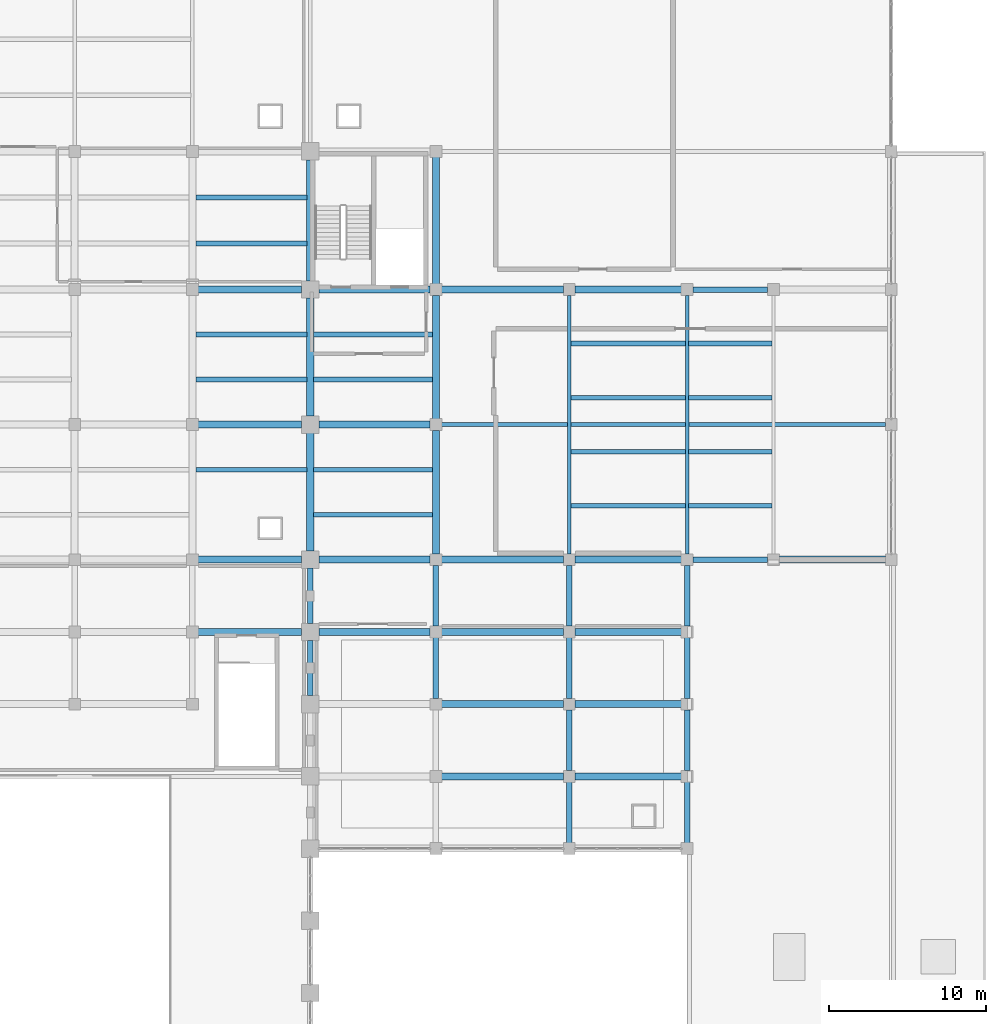
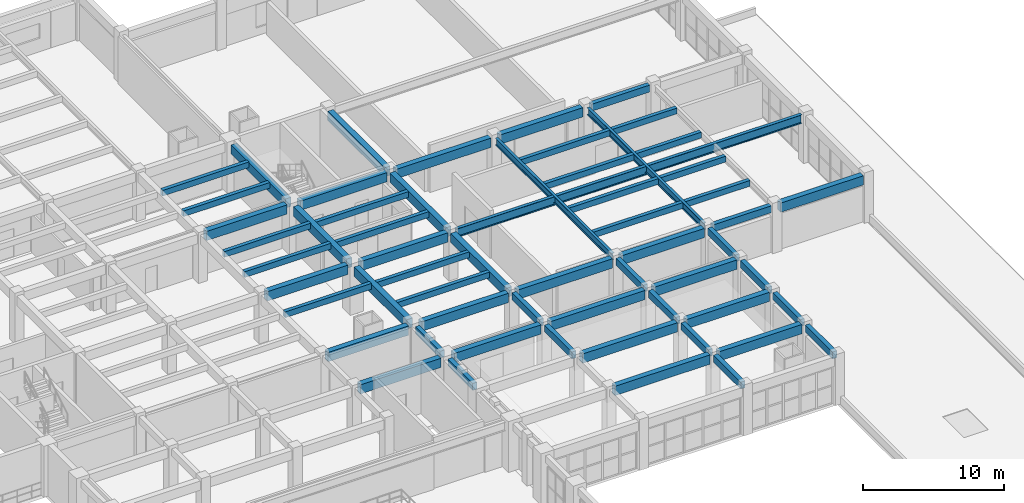
# One storey, part 45 of 90: 59 beams.
"""IFC4 building model written with IfcOpenShell, lengths in metres."""

import ifcopenshell
import ifcopenshell.guid

model = None  # the IFC model being written
_history = None  # IfcOwnerHistory: only IFC2X3 demands one
_inside = {}  # id of a spatial element -> (the spatial element, [elements in it])
_under = {}  # id of a project, library or spatial element -> (it, [spatial elements below it])
_declared = {}  # id of a project -> (the project, [libraries it declares])
_typed = {}  # id of a type object -> (the type object, [elements of that type])
_made_of = {}  # id of a material, layer set ... -> (it, [elements and type objects made of it])


def new_model(schema):
    """Start an empty IFC model of exactly this schema.

    Asked for "IFC4X3", IfcOpenShell would pick the latest addendum, in which some entities
    have other attributes; the version numbers below select the first issue.
    IFC2X3 requires an IfcOwnerHistory on every rooted entity: one is made here for all.
    """
    global model, _history
    if schema == "IFC4X3":
        model = ifcopenshell.file(schema_version=(4, 3, 0, 0))
    else:
        model = ifcopenshell.file(schema=schema)
    _inside.clear()
    _under.clear()
    _declared.clear()
    _typed.clear()
    _made_of.clear()
    _history = None
    if model.schema == "IFC2X3":
        org = make("IfcOrganization", Name="unknown")
        user = make(
            "IfcPersonAndOrganization",
            ThePerson=make("IfcPerson", FamilyName="unknown"),
            TheOrganization=org,
        )
        app = make(
            "IfcApplication",
            ApplicationDeveloper=org,
            Version="unknown",
            ApplicationFullName="unknown",
            ApplicationIdentifier="unknown",
        )
        _history = make(
            "IfcOwnerHistory",
            OwningUser=user,
            OwningApplication=app,
            ChangeAction="ADDED",
            CreationDate=0,
        )
    return model


def make(cls, **values):
    """One entity of the class cls with the attributes given. An attribute that is None is left unset."""
    return model.create_entity(
        cls, **{name: value for name, value in values.items() if value is not None}
    )


def rooted(cls, **values):
    """An entity with a GlobalId (a new one), such as an element, a storey or a relation."""
    return make(cls, GlobalId=ifcopenshell.guid.new(), OwnerHistory=_history, **values)


def si_unit(unit_type, name, prefix=None):
    """IfcSIUnit, for example si_unit("LENGTHUNIT", "METRE", prefix="MILLI")."""
    return make("IfcSIUnit", UnitType=unit_type, Prefix=prefix, Name=name)


def assignment(units):
    """IfcUnitAssignment: the units of a project."""
    return None if units is None else make("IfcUnitAssignment", Units=units)


def point(xyz):
    """IfcCartesianPoint."""
    return None if xyz is None else make("IfcCartesianPoint", Coordinates=xyz)


def direction(xyz):
    """IfcDirection."""
    return None if xyz is None else make("IfcDirection", DirectionRatios=xyz)


def frame(location, z_axis=None, x_axis=None):
    """IfcAxis2Placement3D, a coordinate frame: its origin and axes. An axis left out is left unset."""
    return make(
        "IfcAxis2Placement3D",
        Location=point(location),
        Axis=direction(z_axis),
        RefDirection=direction(x_axis),
    )


def frame_2d(location, x_axis=None):
    """IfcAxis2Placement2D, a coordinate frame in the plane: its origin and x axis."""
    return make(
        "IfcAxis2Placement2D", Location=point(location), RefDirection=direction(x_axis)
    )


def origin():
    """The frame at (0, 0, 0) with its axes left unset."""
    return frame((0.0, 0.0, 0.0))


def origin_2d():
    """The frame at (0, 0) in the plane with its x axis left unset."""
    return frame_2d((0.0, 0.0))


def place(relative_to, where):
    """IfcLocalPlacement: puts the frame where relative to a parent placement (None: the world)."""
    return make(
        "IfcLocalPlacement", PlacementRelTo=relative_to, RelativePlacement=where
    )


def context(
    kind, dimensions, precision=None, world=None, true_north=None, identifier=None
):
    """IfcGeometricRepresentationContext, for example the 3D "Model" context."""
    return make(
        "IfcGeometricRepresentationContext",
        ContextIdentifier=identifier,
        ContextType=kind,
        CoordinateSpaceDimension=dimensions,
        Precision=precision,
        WorldCoordinateSystem=world,
        TrueNorth=true_north,
    )


def subcontext(parent, identifier, kind, view, scale=None):
    """IfcGeometricRepresentationSubContext, for example "Body" below "Model"."""
    return make(
        "IfcGeometricRepresentationSubContext",
        ContextIdentifier=identifier,
        ContextType=kind,
        ParentContext=parent,
        TargetScale=scale,
        TargetView=view,
    )


def project(units=None, contexts=None):
    """IfcProject with its units and contexts."""
    return rooted(
        "IfcProject",
        Name="project",
        RepresentationContexts=contexts,
        UnitsInContext=assignment(units),
    )


def spatial(cls, under=None, at=None, **own):
    """A site, building, storey or space (cls), placed at a placement, below another one or the project."""
    s = rooted(cls, ObjectPlacement=at, **own)
    if under is not None:
        _under.setdefault(under.id(), (under, []))[1].append(s)
    return s


def profile(cls, at=None, kind="AREA", **sizes):
    """A parametric profile (cls). Its sizes go by their IFC names, for example OverallWidth=200.0."""
    return make(cls, ProfileType=kind, Position=at, **sizes)


def rectangle(**sizes):
    """IfcRectangleProfileDef."""
    return profile("IfcRectangleProfileDef", **sizes)


def i_section(**sizes):
    """IfcIShapeProfileDef."""
    return profile("IfcIShapeProfileDef", **sizes)


def extrude(swept, where, along, depth):
    """IfcExtrudedAreaSolid: the profile swept, set in the frame where, extruded along a direction by depth."""
    return make(
        "IfcExtrudedAreaSolid",
        SweptArea=swept,
        Position=where,
        ExtrudedDirection=direction(along),
        Depth=depth,
    )


def shape(context_of_items, identifier, shape_type, items):
    """IfcShapeRepresentation: the items that make up one representation, for example the "Body"."""
    return make(
        "IfcShapeRepresentation",
        ContextOfItems=context_of_items,
        RepresentationIdentifier=identifier,
        RepresentationType=shape_type,
        Items=items,
    )


def material(Name=None, Category=None):
    """IfcMaterial."""
    return make("IfcMaterial", Name=Name, Category=Category)


def material_profile(
    of_material, cross_section, Name=None, Category=None, Priority=None
):
    """IfcMaterialProfile: a cross section and its material."""
    return make(
        "IfcMaterialProfile",
        Name=Name,
        Material=of_material,
        Profile=cross_section,
        Priority=Priority,
        Category=Category,
    )


def profile_set(profiles, Name=None, composite=None):
    """IfcMaterialProfileSet."""
    return make(
        "IfcMaterialProfileSet",
        Name=Name,
        MaterialProfiles=profiles,
        CompositeProfile=composite,
    )


def made_of(thing, what):
    """Note that an element or type object is made of a material, layer set ...; save() writes the relation."""
    if what is not None:
        _made_of.setdefault(what.id(), (what, []))[1].append(thing)
    return thing


def type_object(cls, material=None, **own):
    """A type object (cls), such as IfcWallType, which elements share."""
    return made_of(rooted(cls, **own), material)


def element(
    cls,
    number,
    at=None,
    inside=None,
    cuts=None,
    type_object=None,
    material=None,
    context=None,
    identifier="Body",
    shape_type=None,
    held_by="IfcProductDefinitionShape",
    body=None,
    shapes=None,
    **own,
):
    """One element of the class cls, such as IfcWall. Its Tag is "e" and its number.

    at: its placement. inside: the storey or other place that contains it. cuts: it is an
    opening in that element (IfcRelVoidsElement). A single representation is given by context,
    identifier, shape_type and body (its items); several are given by shapes. held_by: the class
    of the entity that holds the representations. save() writes the other relations.
    """
    e = rooted(cls, Tag="e%d" % number, ObjectPlacement=at, **own)
    if body is not None:
        shapes = [shape(context, identifier, shape_type, body)]
    if shapes is not None:
        e.Representation = make(held_by, Representations=shapes)
    if inside is not None:
        _inside.setdefault(inside.id(), (inside, []))[1].append(e)
    if cuts is not None:
        rooted(
            "IfcRelVoidsElement", RelatingBuildingElement=cuts, RelatedOpeningElement=e
        )
    if type_object is not None:
        _typed.setdefault(type_object.id(), (type_object, []))[1].append(e)
    return made_of(e, material)


def aggregate(whole, parts):
    """IfcRelAggregates: a whole, such as a stair, and the parts it consists of."""
    return rooted("IfcRelAggregates", RelatingObject=whole, RelatedObjects=parts)


def save(model, path):
    """Write the relations noted so far, then the file.

    IfcRelAggregates (storeys below a building ...), IfcRelContainedInSpatialStructure (elements
    in a storey), IfcRelDefinesByType, IfcRelAssociatesMaterial and IfcRelDeclares: one each for
    every whole, place, type object, material and project.
    """
    for whole, parts in _under.values():
        aggregate(whole, parts)
    for where, things in _inside.values():
        rooted(
            "IfcRelContainedInSpatialStructure",
            RelatedElements=things,
            RelatingStructure=where,
        )
    for kind, things in _typed.values():
        rooted("IfcRelDefinesByType", RelatedObjects=things, RelatingType=kind)
    for what, things in _made_of.values():
        rooted("IfcRelAssociatesMaterial", RelatedObjects=things, RelatingMaterial=what)
    for by, libraries in _declared.values():
        rooted("IfcRelDeclares", RelatingContext=by, RelatedDefinitions=libraries)
    model.write(path)


model = new_model("IFC4")

# Units and contexts
model_context = context("Model", 3, precision=1e-05, world=origin(), true_north=direction((0.0, 1.0)))
body_context = subcontext(model_context, "Body", "Model", "MODEL_VIEW")
ifc_project = project(units=[si_unit("LENGTHUNIT", "METRE"), si_unit("AREAUNIT", "SQUARE_METRE"), si_unit("VOLUMEUNIT", "CUBIC_METRE"), si_unit("PLANEANGLEUNIT", "RADIAN"), si_unit("MASSUNIT", "GRAM", prefix="KILO")], contexts=[model_context])

# Site, building, storey
site_placement = place(None, origin())
site = spatial("IfcSite", under=ifc_project, at=site_placement, CompositionType="ELEMENT")
building_placement = place(site_placement, origin())
building = spatial("IfcBuilding", under=site, at=building_placement, Name="Muzn Square Opera House", CompositionType="ELEMENT")
storey_placement = place(building_placement, frame((0.0, 0.0, 9.800048828125)))
storey = spatial("IfcBuildingStorey", under=building, at=storey_placement, Name="L02", CompositionType="ELEMENT", Elevation=9.800048828125)

# Beams
ifc_material_1 = material(Name="Concrete C40/50", Category="concrete")
ifc_material_profile_1 = material_profile(ifc_material_1, rectangle(XDim=0.300048828125, YDim=0.5, at=origin_2d()), Name="RCJ 300x500", Category="concrete")
ifc_profile_set_1 = profile_set([ifc_material_profile_1], Name="Concrete C40/50")
beam_type_1 = type_object("IfcBeamType", Name="Floor Joist 300x500", PredefinedType="JOIST", material=ifc_profile_set_1)
for number, where, z_axis, x_axis, name in (
    (1, (125.717041015625, 78.333251953125, 3.89990234375), (1.0, 0.0, 0.0), (0.0, 1.0, 0.0), "Floor Joist BM-L02-BM-J500-1257_783_1328_783-2388"),
    (2, (125.717041015625, 84.066650390625, 3.89990234375), (1.0, 0.0, 0.0), (0.0, 1.0, 0.0), "Floor Joist BM-L02-BM-J500-1257_841_1328_841-2389"),
    (3, (125.717041015625, 86.933349609375, 3.89990234375), (1.0, 0.0, 0.0), (0.0, 1.0, 0.0), "Floor Joist BM-L02-BM-J500-1257_869_1328_869-2390"),
    (4, (125.717041015625, 92.7333984375, 3.89990234375), (1.0, 0.0, 0.0), (0.0, 1.0, 0.0), "Floor Joist BM-L02-BM-J500-1257_927_1328_927-2391"),
    (5, (125.717041015625, 95.666748046875, 3.89990234375), (1.0, 0.0, 0.0), (0.0, 1.0, 0.0), "Floor Joist BM-L02-BM-J500-1257_957_1328_957-2392"),
):
    element("IfcBeam", number, at=place(storey_placement, frame(where, z_axis=z_axis, x_axis=x_axis)), inside=storey, type_object=beam_type_1, Name=name, PredefinedType="JOIST", context=body_context, shape_type="SweptSolid", body=[
        extrude(rectangle(XDim=0.300048828125, YDim=0.5, at=origin_2d()), origin(), (0.0, 0.0, 1.0), 7.06591796875),
    ])
for number, where, z_axis, x_axis, name in (
    (6, (133.217041015625, 75.466796875, 3.829833984375), (1.0, 0.0, 0.0), (0.0, 1.0, 0.0), "Floor Joist BM-L02-BM-J500-1332_755_1408_755-2393"),
    (7, (133.217041015625, 78.333251953125, 3.829833984375), (1.0, 0.0, 0.0), (0.0, 1.0, 0.0), "Floor Joist BM-L02-BM-J500-1332_783_1408_783-2394"),
    (8, (133.217041015625, 84.066650390625, 3.829833984375), (1.0, 0.0, 0.0), (0.0, 1.0, 0.0), "Floor Joist BM-L02-BM-J500-1332_841_1408_841-2395"),
    (9, (133.217041015625, 86.933349609375, 3.829833984375), (1.0, 0.0, 0.0), (0.0, 1.0, 0.0), "Floor Joist BM-L02-BM-J500-1332_869_1408_869-2396"),
):
    element("IfcBeam", number, at=place(storey_placement, frame(where, z_axis=z_axis, x_axis=x_axis)), inside=storey, type_object=beam_type_1, Name=name, PredefinedType="JOIST", context=body_context, shape_type="SweptSolid", body=[
        extrude(rectangle(XDim=0.300048828125, YDim=0.5, at=origin_2d()), origin(), (0.0, 0.0, 1.0), 7.56591796875),
    ])
for number, where, z_axis, x_axis, name in (
    (10, (149.60205078125, 76.0400390625, 3.829833984375), (1.0, 0.0, 0.0), (0.0, 1.0, 0.0), "Floor Joist BM-L02-BM-J500-1496_760_1569_760-2398"),
    (11, (149.60205078125, 79.47998046875, 3.829833984375), (1.0, 0.0, 0.0), (0.0, 1.0, 0.0), "Floor Joist BM-L02-BM-J500-1496_795_1569_795-2399"),
    (12, (149.60205078125, 82.919921875, 3.829833984375), (1.0, 0.0, 0.0), (0.0, 1.0, 0.0), "Floor Joist BM-L02-BM-J500-1496_829_1569_829-2400"),
    (13, (149.60205078125, 86.360107421875, 3.829833984375), (1.0, 0.0, 0.0), (0.0, 1.0, 0.0), "Floor Joist BM-L02-BM-J500-1496_864_1569_864-2401"),
):
    element("IfcBeam", number, at=place(storey_placement, frame(where, z_axis=z_axis, x_axis=x_axis)), inside=storey, type_object=beam_type_1, Name=name, PredefinedType="JOIST", context=body_context, shape_type="SweptSolid", body=[
        extrude(rectangle(XDim=0.300048828125, YDim=0.5, at=origin_2d()), origin(), (0.0, 0.0, 1.0), 7.2958984375),
    ])
for number, where, z_axis, x_axis, name in (
    (14, (157.10205078125, 76.0400390625, 3.829833984375), (1.0, 0.0, 0.0), (0.0, 1.0, 0.0), "Floor Joist BM-L02-BM-J500-1571_760_1624_760-2402"),
    (15, (157.10205078125, 79.47998046875, 3.829833984375), (1.0, 0.0, 0.0), (0.0, 1.0, 0.0), "Floor Joist BM-L02-BM-J500-1571_795_1624_795-2403"),
    (16, (157.10205078125, 82.919921875, 3.829833984375), (1.0, 0.0, 0.0), (0.0, 1.0, 0.0), "Floor Joist BM-L02-BM-J500-1571_829_1624_829-2404"),
    (17, (157.10205078125, 86.360107421875, 3.829833984375), (1.0, 0.0, 0.0), (0.0, 1.0, 0.0), "Floor Joist BM-L02-BM-J500-1571_864_1624_864-2405"),
):
    element("IfcBeam", number, at=place(storey_placement, frame(where, z_axis=z_axis, x_axis=x_axis)), inside=storey, type_object=beam_type_1, Name=name, PredefinedType="JOIST", context=body_context, shape_type="SweptSolid", body=[
        extrude(rectangle(XDim=0.300048828125, YDim=0.5, at=origin_2d()), origin(), (0.0, 0.0, 1.0), 5.2958984375),
    ])
ifc_material_2 = material(Name="Steel S355", Category="steel")
ifc_material_profile_2 = material_profile(ifc_material_2, i_section(OverallWidth=0.264892578125, OverallDepth=0.7529296875, WebThickness=0.01318359375, FlangeThickness=0.01708984375, FilletRadius=0.01708984375, at=origin_2d()), Name="IPE 750x147", Category="steel")
ifc_profile_set_2 = profile_set([ifc_material_profile_2], Name="Steel S355")
beam_type_2 = type_object("IfcBeamType", Name="Long Span Foyer Beam IPE750", PredefinedType="BEAM", material=ifc_profile_set_2)
beam_1_placement = place(storey_placement, frame((141.366943359375, 81.199951171875, 3.703369140625), z_axis=(1.0, 0.0, 0.0), x_axis=(0.0, 1.0, 0.0)))
element("IfcBeam", 18, at=beam_1_placement, inside=storey, type_object=beam_type_2, Name="Primary Girder BM-L02-BM-LF750-1414_812_1696_812-2075", PredefinedType="BEAM", context=body_context, shape_type="SweptSolid", body=[
    extrude(i_section(OverallWidth=0.264892578125, OverallDepth=0.7529296875, WebThickness=0.01318359375, FlangeThickness=0.01708984375, FilletRadius=0.01708984375, at=origin_2d()), origin(), (0.0, 0.0, 1.0), 28.26611328125),
])
ifc_material_profile_3 = material_profile(ifc_material_1, rectangle(XDim=0.35009765625, YDim=0.60009765625, at=origin_2d()), Name="RCB 350x600", Category="concrete")
ifc_profile_set_3 = profile_set([ifc_material_profile_3], Name="Concrete C40/50")
beam_type_3 = type_object("IfcBeamType", Name="Primary Girder 350x600", PredefinedType="BEAM", material=ifc_profile_set_3)
for number, where, z_axis, x_axis, name in (
    (19, (157.366943359375, 72.60009765625, 3.780029296875), (1.0, 0.0, 0.0), (0.0, 1.0, 0.0), "Primary Girder BM-L02-BM-PG600-1574_726_1621_726-2063"),
    (20, (157.366943359375, 89.800048828125, 3.780029296875), (1.0, 0.0, 0.0), (0.0, 1.0, 0.0), "Primary Girder BM-L02-BM-PG600-1574_898_1621_898-2088"),
):
    element("IfcBeam", number, at=place(storey_placement, frame(where, z_axis=z_axis, x_axis=x_axis)), inside=storey, type_object=beam_type_3, Name=name, PredefinedType="BEAM", context=body_context, shape_type="SweptSolid", body=[
        extrude(rectangle(XDim=0.35009765625, YDim=0.60009765625, at=origin_2d()), origin(), (0.0, 0.0, 1.0), 4.76611328125),
    ])
for number, where, z_axis, x_axis, name in (
    (21, (133.0, 63.94189453125, 3.820068359375), (0.0, 1.0, 0.0), (-1.0, 0.0, 0.0), "Primary Girder BM-L02-BM-PG600-1330_639_1330_675-2255"),
    (22, (133.0, 68.5419921875, 3.820068359375), (0.0, 1.0, 0.0), (-1.0, 0.0, 0.0), "Primary Girder BM-L02-BM-PG600-1330_685_1330_721-2256"),
):
    element("IfcBeam", number, at=place(storey_placement, frame(where, z_axis=z_axis, x_axis=x_axis)), inside=storey, type_object=beam_type_3, Name=name, PredefinedType="BEAM", context=body_context, shape_type="SweptSolid", body=[
        extrude(rectangle(XDim=0.35009765625, YDim=0.60009765625, at=origin_2d()), origin(), (0.0, 0.0, 1.0), 3.51611328125),
    ])
for number, where, z_axis, x_axis, name in (
    (23, (141.0, 63.76708984375, 3.83984375), (0.0, 1.0, 0.0), (-1.0, 0.0, 0.0), "Primary Girder BM-L02-BM-PG600-1410_638_1410_676-2265"),
    (24, (141.0, 68.366943359375, 3.83984375), (0.0, 1.0, 0.0), (-1.0, 0.0, 0.0), "Primary Girder BM-L02-BM-PG600-1410_684_1410_722-2266"),
):
    element("IfcBeam", number, at=place(storey_placement, frame(where, z_axis=z_axis, x_axis=x_axis)), inside=storey, type_object=beam_type_3, Name=name, PredefinedType="BEAM", context=body_context, shape_type="SweptSolid", body=[
        extrude(rectangle(XDim=0.35009765625, YDim=0.60009765625, at=origin_2d()), origin(), (0.0, 0.0, 1.0), 3.865966796875),
    ])
beam_2_placement = place(storey_placement, frame((149.5, 54.56689453125, 3.83984375), z_axis=(0.0, 1.0, 0.0), x_axis=(-1.0, 0.0, 0.0)))
element("IfcBeam", 25, at=beam_2_placement, inside=storey, type_object=beam_type_3, Name="Primary Girder BM-L02-BM-PG600-1495_546_1495_584-2273", PredefinedType="BEAM", context=body_context, shape_type="SweptSolid", body=[
    extrude(rectangle(XDim=0.35009765625, YDim=0.60009765625, at=origin_2d()), origin(), (0.0, 0.0, 1.0), 3.8662109375),
])
for number, where, z_axis, x_axis, name in (
    (26, (149.5, 59.1669921875, 3.83984375), (0.0, 1.0, 0.0), (-1.0, 0.0, 0.0), "Primary Girder BM-L02-BM-PG600-1495_592_1495_630-2274"),
    (27, (149.5, 63.76708984375, 3.83984375), (0.0, 1.0, 0.0), (-1.0, 0.0, 0.0), "Primary Girder BM-L02-BM-PG600-1495_638_1495_676-2275"),
    (28, (149.5, 68.366943359375, 3.83984375), (0.0, 1.0, 0.0), (-1.0, 0.0, 0.0), "Primary Girder BM-L02-BM-PG600-1495_684_1495_722-2276"),
):
    element("IfcBeam", number, at=place(storey_placement, frame(where, z_axis=z_axis, x_axis=x_axis)), inside=storey, type_object=beam_type_3, Name=name, PredefinedType="BEAM", context=body_context, shape_type="SweptSolid", body=[
        extrude(rectangle(XDim=0.35009765625, YDim=0.60009765625, at=origin_2d()), origin(), (0.0, 0.0, 1.0), 3.865966796875),
    ])
beam_3_placement = place(storey_placement, frame((157.0, 54.56689453125, 3.820068359375), z_axis=(0.0, 1.0, 0.0), x_axis=(-1.0, 0.0, 0.0)))
element("IfcBeam", 29, at=beam_3_placement, inside=storey, type_object=beam_type_3, Name="Primary Girder BM-L02-BM-PG600-1570_546_1570_584-2279", PredefinedType="BEAM", context=body_context, shape_type="SweptSolid", body=[
    extrude(rectangle(XDim=0.35009765625, YDim=0.60009765625, at=origin_2d()), origin(), (0.0, 0.0, 1.0), 3.8662109375),
])
for number, where, z_axis, x_axis, name in (
    (30, (157.0, 59.1669921875, 3.820068359375), (0.0, 1.0, 0.0), (-1.0, 0.0, 0.0), "Primary Girder BM-L02-BM-PG600-1570_592_1570_630-2280"),
    (31, (157.0, 63.76708984375, 3.820068359375), (0.0, 1.0, 0.0), (-1.0, 0.0, 0.0), "Primary Girder BM-L02-BM-PG600-1570_638_1570_676-2281"),
    (32, (157.0, 68.366943359375, 3.820068359375), (0.0, 1.0, 0.0), (-1.0, 0.0, 0.0), "Primary Girder BM-L02-BM-PG600-1570_684_1570_722-2282"),
):
    element("IfcBeam", number, at=place(storey_placement, frame(where, z_axis=z_axis, x_axis=x_axis)), inside=storey, type_object=beam_type_3, Name=name, PredefinedType="BEAM", context=body_context, shape_type="SweptSolid", body=[
        extrude(rectangle(XDim=0.35009765625, YDim=0.60009765625, at=origin_2d()), origin(), (0.0, 0.0, 1.0), 3.865966796875),
    ])
ifc_material_profile_4 = material_profile(ifc_material_1, rectangle(XDim=0.449951171875, YDim=0.800048828125, at=origin_2d()), Name="RCB 450x800", Category="concrete")
ifc_profile_set_4 = profile_set([ifc_material_profile_4], Name="Concrete C40/50")
beam_type_4 = type_object("IfcBeamType", Name="Primary Girder 450x800", PredefinedType="BEAM", material=ifc_profile_set_4)
beam_4_placement = place(storey_placement, frame((141.366943359375, 58.800048828125, 3.739990234375), z_axis=(1.0, 0.0, 0.0), x_axis=(0.0, 1.0, 0.0)))
element("IfcBeam", 33, at=beam_4_placement, inside=storey, type_object=beam_type_4, Name="Primary Girder BM-L02-BM-PG800-1414_588_1491_588-2021", PredefinedType="BEAM", context=body_context, shape_type="SweptSolid", body=[
    extrude(rectangle(XDim=0.449951171875, YDim=0.800048828125, at=origin_2d()), origin(), (0.0, 0.0, 1.0), 7.76611328125),
])
beam_5_placement = place(storey_placement, frame((149.866943359375, 58.800048828125, 3.739990234375), z_axis=(1.0, 0.0, 0.0), x_axis=(0.0, 1.0, 0.0)))
element("IfcBeam", 34, at=beam_5_placement, inside=storey, type_object=beam_type_4, Name="Primary Girder BM-L02-BM-PG800-1499_588_1566_588-2022", PredefinedType="BEAM", context=body_context, shape_type="SweptSolid", body=[
    extrude(rectangle(XDim=0.449951171875, YDim=0.800048828125, at=origin_2d()), origin(), (0.0, 0.0, 1.0), 6.76611328125),
])
beam_6_placement = place(storey_placement, frame((141.366943359375, 63.39990234375, 3.739990234375), z_axis=(1.0, 0.0, 0.0), x_axis=(0.0, 1.0, 0.0)))
element("IfcBeam", 35, at=beam_6_placement, inside=storey, type_object=beam_type_4, Name="Primary Girder BM-L02-BM-PG800-1414_634_1491_634-2033", PredefinedType="BEAM", context=body_context, shape_type="SweptSolid", body=[
    extrude(rectangle(XDim=0.449951171875, YDim=0.800048828125, at=origin_2d()), origin(), (0.0, 0.0, 1.0), 7.76611328125),
])
beam_7_placement = place(storey_placement, frame((149.866943359375, 63.39990234375, 3.739990234375), z_axis=(1.0, 0.0, 0.0), x_axis=(0.0, 1.0, 0.0)))
element("IfcBeam", 36, at=beam_7_placement, inside=storey, type_object=beam_type_4, Name="Primary Girder BM-L02-BM-PG800-1499_634_1566_634-2034", PredefinedType="BEAM", context=body_context, shape_type="SweptSolid", body=[
    extrude(rectangle(XDim=0.449951171875, YDim=0.800048828125, at=origin_2d()), origin(), (0.0, 0.0, 1.0), 6.76611328125),
])
beam_8_placement = place(storey_placement, frame((125.866943359375, 68.0, 3.719970703125), z_axis=(1.0, 0.0, 0.0), x_axis=(0.0, 1.0, 0.0)))
element("IfcBeam", 37, at=beam_8_placement, inside=storey, type_object=beam_type_4, Name="Primary Girder BM-L02-BM-PG800-1259_680_1325_680-2045", PredefinedType="BEAM", context=body_context, shape_type="SweptSolid", body=[
    extrude(rectangle(XDim=0.449951171875, YDim=0.800048828125, at=origin_2d()), origin(), (0.0, 0.0, 1.0), 6.591064453125),
])
beam_9_placement = place(storey_placement, frame((133.5419921875, 68.0, 3.739990234375), z_axis=(1.0, 0.0, 0.0), x_axis=(0.0, 1.0, 0.0)))
element("IfcBeam", 38, at=beam_9_placement, inside=storey, type_object=beam_type_4, Name="Primary Girder BM-L02-BM-PG800-1335_680_1406_680-2046", PredefinedType="BEAM", context=body_context, shape_type="SweptSolid", body=[
    extrude(rectangle(XDim=0.449951171875, YDim=0.800048828125, at=origin_2d()), origin(), (0.0, 0.0, 1.0), 7.091064453125),
])
beam_10_placement = place(storey_placement, frame((141.366943359375, 68.0, 3.739990234375), z_axis=(1.0, 0.0, 0.0), x_axis=(0.0, 1.0, 0.0)))
element("IfcBeam", 39, at=beam_10_placement, inside=storey, type_object=beam_type_4, Name="Primary Girder BM-L02-BM-PG800-1414_680_1491_680-2047", PredefinedType="BEAM", context=body_context, shape_type="SweptSolid", body=[
    extrude(rectangle(XDim=0.449951171875, YDim=0.800048828125, at=origin_2d()), origin(), (0.0, 0.0, 1.0), 7.76611328125),
])
beam_11_placement = place(storey_placement, frame((149.866943359375, 68.0, 3.739990234375), z_axis=(1.0, 0.0, 0.0), x_axis=(0.0, 1.0, 0.0)))
element("IfcBeam", 40, at=beam_11_placement, inside=storey, type_object=beam_type_4, Name="Primary Girder BM-L02-BM-PG800-1499_680_1566_680-2048", PredefinedType="BEAM", context=body_context, shape_type="SweptSolid", body=[
    extrude(rectangle(XDim=0.449951171875, YDim=0.800048828125, at=origin_2d()), origin(), (0.0, 0.0, 1.0), 6.76611328125),
])
beam_12_placement = place(storey_placement, frame((125.866943359375, 72.60009765625, 3.719970703125), z_axis=(1.0, 0.0, 0.0), x_axis=(0.0, 1.0, 0.0)))
element("IfcBeam", 41, at=beam_12_placement, inside=storey, type_object=beam_type_4, Name="Primary Girder BM-L02-BM-PG800-1259_726_1325_726-2059", PredefinedType="BEAM", context=body_context, shape_type="SweptSolid", body=[
    extrude(rectangle(XDim=0.449951171875, YDim=0.800048828125, at=origin_2d()), origin(), (0.0, 0.0, 1.0), 6.591064453125),
])
beam_13_placement = place(storey_placement, frame((133.5419921875, 72.60009765625, 3.679931640625), z_axis=(1.0, 0.0, 0.0), x_axis=(0.0, 1.0, 0.0)))
element("IfcBeam", 42, at=beam_13_placement, inside=storey, type_object=beam_type_4, Name="Primary Girder BM-L02-BM-PG800-1335_726_1406_726-2060", PredefinedType="BEAM", context=body_context, shape_type="SweptSolid", body=[
    extrude(rectangle(XDim=0.449951171875, YDim=0.800048828125, at=origin_2d()), origin(), (0.0, 0.0, 1.0), 7.091064453125),
])
beam_14_placement = place(storey_placement, frame((141.366943359375, 72.60009765625, 3.679931640625), z_axis=(1.0, 0.0, 0.0), x_axis=(0.0, 1.0, 0.0)))
element("IfcBeam", 43, at=beam_14_placement, inside=storey, type_object=beam_type_4, Name="Primary Girder BM-L02-BM-PG800-1414_726_1491_726-2061", PredefinedType="BEAM", context=body_context, shape_type="SweptSolid", body=[
    extrude(rectangle(XDim=0.449951171875, YDim=0.800048828125, at=origin_2d()), origin(), (0.0, 0.0, 1.0), 7.76611328125),
])
for number, where, z_axis, x_axis, name in (
    (44, (149.866943359375, 72.60009765625, 3.679931640625), (1.0, 0.0, 0.0), (0.0, 1.0, 0.0), "Primary Girder BM-L02-BM-PG800-1499_726_1566_726-2062"),
    (45, (162.866943359375, 72.60009765625, 3.679931640625), (1.0, 0.0, 0.0), (0.0, 1.0, 0.0), "Primary Girder BM-L02-BM-PG800-1629_726_1696_726-2064"),
):
    element("IfcBeam", number, at=place(storey_placement, frame(where, z_axis=z_axis, x_axis=x_axis)), inside=storey, type_object=beam_type_4, Name=name, PredefinedType="BEAM", context=body_context, shape_type="SweptSolid", body=[
        extrude(rectangle(XDim=0.449951171875, YDim=0.800048828125, at=origin_2d()), origin(), (0.0, 0.0, 1.0), 6.76611328125),
    ])
beam_15_placement = place(storey_placement, frame((125.866943359375, 81.199951171875, 3.75), z_axis=(1.0, 0.0, 0.0), x_axis=(0.0, 1.0, 0.0)))
element("IfcBeam", 46, at=beam_15_placement, inside=storey, type_object=beam_type_4, Name="Primary Girder BM-L02-BM-PG800-1259_812_1325_812-2073", PredefinedType="BEAM", context=body_context, shape_type="SweptSolid", body=[
    extrude(rectangle(XDim=0.449951171875, YDim=0.800048828125, at=origin_2d()), origin(), (0.0, 0.0, 1.0), 6.591064453125),
])
beam_16_placement = place(storey_placement, frame((133.5419921875, 81.199951171875, 3.679931640625), z_axis=(1.0, 0.0, 0.0), x_axis=(0.0, 1.0, 0.0)))
element("IfcBeam", 47, at=beam_16_placement, inside=storey, type_object=beam_type_4, Name="Primary Girder BM-L02-BM-PG800-1335_812_1406_812-2074", PredefinedType="BEAM", context=body_context, shape_type="SweptSolid", body=[
    extrude(rectangle(XDim=0.449951171875, YDim=0.800048828125, at=origin_2d()), origin(), (0.0, 0.0, 1.0), 7.091064453125),
])
beam_17_placement = place(storey_placement, frame((125.866943359375, 89.800048828125, 3.75), z_axis=(1.0, 0.0, 0.0), x_axis=(0.0, 1.0, 0.0)))
element("IfcBeam", 48, at=beam_17_placement, inside=storey, type_object=beam_type_4, Name="Primary Girder BM-L02-BM-PG800-1259_898_1325_898-2084", PredefinedType="BEAM", context=body_context, shape_type="SweptSolid", body=[
    extrude(rectangle(XDim=0.449951171875, YDim=0.800048828125, at=origin_2d()), origin(), (0.0, 0.0, 1.0), 6.591064453125),
])
beam_18_placement = place(storey_placement, frame((133.5419921875, 89.800048828125, 3.679931640625), z_axis=(1.0, 0.0, 0.0), x_axis=(0.0, 1.0, 0.0)))
element("IfcBeam", 49, at=beam_18_placement, inside=storey, type_object=beam_type_4, Name="Primary Girder BM-L02-BM-PG800-1335_898_1406_898-2085", PredefinedType="BEAM", context=body_context, shape_type="SweptSolid", body=[
    extrude(rectangle(XDim=0.449951171875, YDim=0.800048828125, at=origin_2d()), origin(), (0.0, 0.0, 1.0), 7.091064453125),
])
beam_19_placement = place(storey_placement, frame((141.366943359375, 89.800048828125, 3.679931640625), z_axis=(1.0, 0.0, 0.0), x_axis=(0.0, 1.0, 0.0)))
element("IfcBeam", 50, at=beam_19_placement, inside=storey, type_object=beam_type_4, Name="Primary Girder BM-L02-BM-PG800-1414_898_1491_898-2086", PredefinedType="BEAM", context=body_context, shape_type="SweptSolid", body=[
    extrude(rectangle(XDim=0.449951171875, YDim=0.800048828125, at=origin_2d()), origin(), (0.0, 0.0, 1.0), 7.76611328125),
])
beam_20_placement = place(storey_placement, frame((149.866943359375, 89.800048828125, 3.679931640625), z_axis=(1.0, 0.0, 0.0), x_axis=(0.0, 1.0, 0.0)))
element("IfcBeam", 51, at=beam_20_placement, inside=storey, type_object=beam_type_4, Name="Primary Girder BM-L02-BM-PG800-1499_898_1566_898-2087", PredefinedType="BEAM", context=body_context, shape_type="SweptSolid", body=[
    extrude(rectangle(XDim=0.449951171875, YDim=0.800048828125, at=origin_2d()), origin(), (0.0, 0.0, 1.0), 6.76611328125),
])
beam_21_placement = place(storey_placement, frame((133.0, 73.14208984375, 3.679931640625), z_axis=(0.0, 1.0, 0.0), x_axis=(-1.0, 0.0, 0.0)))
element("IfcBeam", 52, at=beam_21_placement, inside=storey, type_object=beam_type_4, Name="Primary Girder BM-L02-BM-PG800-1330_731_1330_807-2257", PredefinedType="BEAM", context=body_context, shape_type="SweptSolid", body=[
    extrude(rectangle(XDim=0.449951171875, YDim=0.800048828125, at=origin_2d()), origin(), (0.0, 0.0, 1.0), 7.515869140625),
])
beam_22_placement = place(storey_placement, frame((133.0, 81.741943359375, 3.679931640625), z_axis=(0.0, 1.0, 0.0), x_axis=(-1.0, 0.0, 0.0)))
element("IfcBeam", 53, at=beam_22_placement, inside=storey, type_object=beam_type_4, Name="Primary Girder BM-L02-BM-PG800-1330_817_1330_893-2258", PredefinedType="BEAM", context=body_context, shape_type="SweptSolid", body=[
    extrude(rectangle(XDim=0.449951171875, YDim=0.800048828125, at=origin_2d()), origin(), (0.0, 0.0, 1.0), 7.51611328125),
])
beam_23_placement = place(storey_placement, frame((133.0, 90.342041015625, 3.679931640625), z_axis=(0.0, 1.0, 0.0), x_axis=(-1.0, 0.0, 0.0)))
element("IfcBeam", 54, at=beam_23_placement, inside=storey, type_object=beam_type_4, Name="Primary Girder BM-L02-BM-PG800-1330_903_1330_981-2259", PredefinedType="BEAM", context=body_context, shape_type="SweptSolid", body=[
    extrude(rectangle(XDim=0.449951171875, YDim=0.800048828125, at=origin_2d()), origin(), (0.0, 0.0, 1.0), 7.716064453125),
])
beam_24_placement = place(storey_placement, frame((141.0, 72.967041015625, 3.679931640625), z_axis=(0.0, 1.0, 0.0), x_axis=(-1.0, 0.0, 0.0)))
element("IfcBeam", 55, at=beam_24_placement, inside=storey, type_object=beam_type_4, Name="Primary Girder BM-L02-BM-PG800-1410_730_1410_808-2267", PredefinedType="BEAM", context=body_context, shape_type="SweptSolid", body=[
    extrude(rectangle(XDim=0.449951171875, YDim=0.800048828125, at=origin_2d()), origin(), (0.0, 0.0, 1.0), 7.865966796875),
])
beam_25_placement = place(storey_placement, frame((141.0, 81.56689453125, 3.679931640625), z_axis=(0.0, 1.0, 0.0), x_axis=(-1.0, 0.0, 0.0)))
element("IfcBeam", 56, at=beam_25_placement, inside=storey, type_object=beam_type_4, Name="Primary Girder BM-L02-BM-PG800-1410_816_1410_894-2268", PredefinedType="BEAM", context=body_context, shape_type="SweptSolid", body=[
    extrude(rectangle(XDim=0.449951171875, YDim=0.800048828125, at=origin_2d()), origin(), (0.0, 0.0, 1.0), 7.8662109375),
])
beam_26_placement = place(storey_placement, frame((141.0, 90.1669921875, 3.679931640625), z_axis=(0.0, 1.0, 0.0), x_axis=(-1.0, 0.0, 0.0)))
element("IfcBeam", 57, at=beam_26_placement, inside=storey, type_object=beam_type_4, Name="Primary Girder BM-L02-BM-PG800-1410_902_1410_982-2269", PredefinedType="BEAM", context=body_context, shape_type="SweptSolid", body=[
    extrude(rectangle(XDim=0.449951171875, YDim=0.800048828125, at=origin_2d()), origin(), (0.0, 0.0, 1.0), 8.06591796875),
])
ifc_material_profile_5 = material_profile(ifc_material_2, i_section(OverallWidth=0.219970703125, OverallDepth=0.60009765625, WebThickness=0.011962890625, FlangeThickness=0.01904296875, FilletRadius=0.02392578125, at=origin_2d()), Name="IPE 600", Category="steel")
ifc_profile_set_5 = profile_set([ifc_material_profile_5], Name="Steel S355")
beam_type_5 = type_object("IfcBeamType", Name="Stage Gallery Beam IPE600", PredefinedType="BEAM", material=ifc_profile_set_5)
for number, where, z_axis, x_axis, name in (
    (58, (149.5, 72.967041015625, 3.780029296875), (0.0, 1.0, 0.0), (-1.0, 0.0, 0.0), "Primary Girder BM-L02-BM-SG600-1495_730_1495_894-2277"),
    (59, (157.0, 72.967041015625, 3.780029296875), (0.0, 1.0, 0.0), (-1.0, 0.0, 0.0), "Primary Girder BM-L02-BM-SG600-1570_730_1570_894-2283"),
):
    element("IfcBeam", number, at=place(storey_placement, frame(where, z_axis=z_axis, x_axis=x_axis)), inside=storey, type_object=beam_type_5, Name=name, PredefinedType="BEAM", context=body_context, shape_type="SweptSolid", body=[
        extrude(i_section(OverallWidth=0.219970703125, OverallDepth=0.60009765625, WebThickness=0.011962890625, FlangeThickness=0.01904296875, FilletRadius=0.02392578125, at=origin_2d()), origin(), (0.0, 0.0, 1.0), 16.466064453125),
    ])

save(model, "model.ifc")
